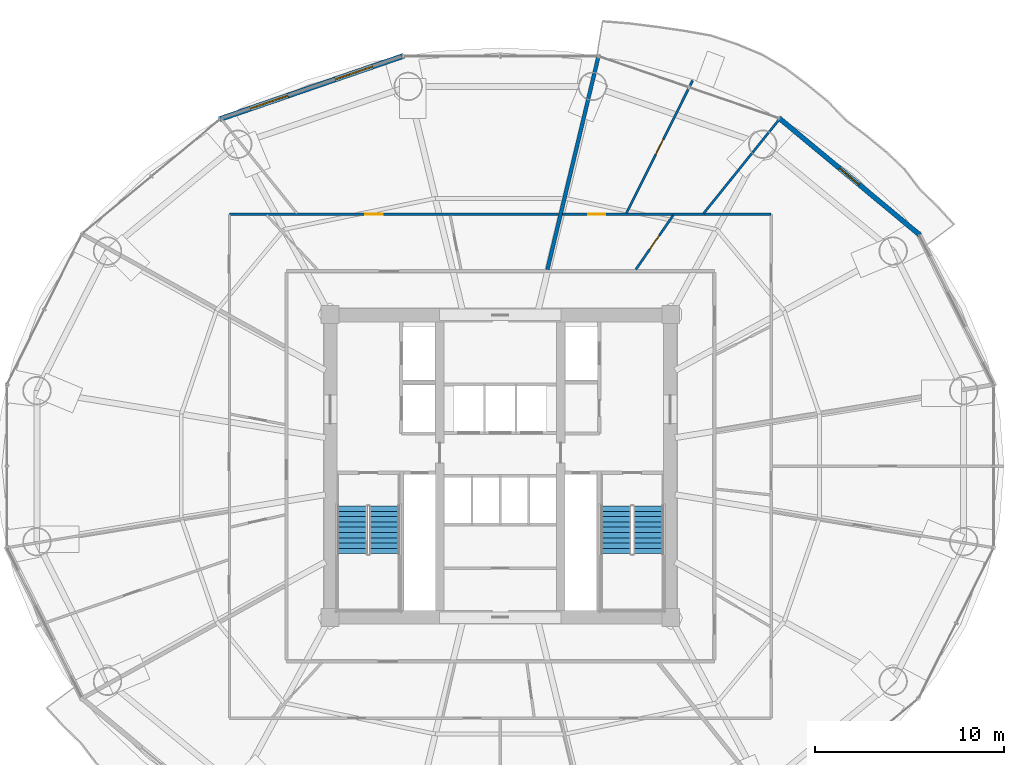
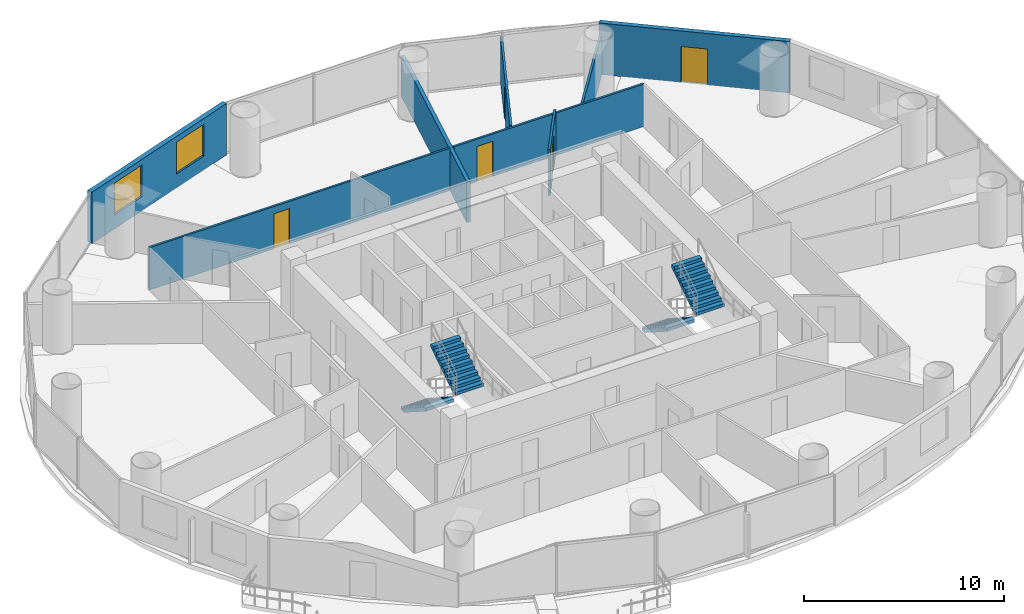
# One storey, part 25 of 29: 8 walls, 5 doors, 4 stair flights, 2 windows, 7 openings, 2 elements without a shape of their own.
"""IFC4 building model written with IfcOpenShell, lengths in metres."""

import ifcopenshell
import ifcopenshell.guid

model = None  # the IFC model being written
_history = None  # IfcOwnerHistory: only IFC2X3 demands one
_inside = {}  # id of a spatial element -> (the spatial element, [elements in it])
_under = {}  # id of a project, library or spatial element -> (it, [spatial elements below it])
_declared = {}  # id of a project -> (the project, [libraries it declares])
_typed = {}  # id of a type object -> (the type object, [elements of that type])
_made_of = {}  # id of a material, layer set ... -> (it, [elements and type objects made of it])


def new_model(schema):
    """Start an empty IFC model of exactly this schema.

    Asked for "IFC4X3", IfcOpenShell would pick the latest addendum, in which some entities
    have other attributes; the version numbers below select the first issue.
    IFC2X3 requires an IfcOwnerHistory on every rooted entity: one is made here for all.
    """
    global model, _history
    if schema == "IFC4X3":
        model = ifcopenshell.file(schema_version=(4, 3, 0, 0))
    else:
        model = ifcopenshell.file(schema=schema)
    _inside.clear()
    _under.clear()
    _declared.clear()
    _typed.clear()
    _made_of.clear()
    _history = None
    if model.schema == "IFC2X3":
        org = make("IfcOrganization", Name="unknown")
        user = make(
            "IfcPersonAndOrganization",
            ThePerson=make("IfcPerson", FamilyName="unknown"),
            TheOrganization=org,
        )
        app = make(
            "IfcApplication",
            ApplicationDeveloper=org,
            Version="unknown",
            ApplicationFullName="unknown",
            ApplicationIdentifier="unknown",
        )
        _history = make(
            "IfcOwnerHistory",
            OwningUser=user,
            OwningApplication=app,
            ChangeAction="ADDED",
            CreationDate=0,
        )
    return model


def make(cls, **values):
    """One entity of the class cls with the attributes given. An attribute that is None is left unset."""
    return model.create_entity(
        cls, **{name: value for name, value in values.items() if value is not None}
    )


def rooted(cls, **values):
    """An entity with a GlobalId (a new one), such as an element, a storey or a relation."""
    return make(cls, GlobalId=ifcopenshell.guid.new(), OwnerHistory=_history, **values)


def si_unit(unit_type, name, prefix=None):
    """IfcSIUnit, for example si_unit("LENGTHUNIT", "METRE", prefix="MILLI")."""
    return make("IfcSIUnit", UnitType=unit_type, Prefix=prefix, Name=name)


def assignment(units):
    """IfcUnitAssignment: the units of a project."""
    return None if units is None else make("IfcUnitAssignment", Units=units)


def point(xyz):
    """IfcCartesianPoint."""
    return None if xyz is None else make("IfcCartesianPoint", Coordinates=xyz)


def direction(xyz):
    """IfcDirection."""
    return None if xyz is None else make("IfcDirection", DirectionRatios=xyz)


def frame(location, z_axis=None, x_axis=None):
    """IfcAxis2Placement3D, a coordinate frame: its origin and axes. An axis left out is left unset."""
    return make(
        "IfcAxis2Placement3D",
        Location=point(location),
        Axis=direction(z_axis),
        RefDirection=direction(x_axis),
    )


def frame_2d(location, x_axis=None):
    """IfcAxis2Placement2D, a coordinate frame in the plane: its origin and x axis."""
    return make(
        "IfcAxis2Placement2D", Location=point(location), RefDirection=direction(x_axis)
    )


def origin():
    """The frame at (0, 0, 0) with its axes left unset."""
    return frame((0.0, 0.0, 0.0))


def place(relative_to, where):
    """IfcLocalPlacement: puts the frame where relative to a parent placement (None: the world)."""
    return make(
        "IfcLocalPlacement", PlacementRelTo=relative_to, RelativePlacement=where
    )


def context(
    kind, dimensions, precision=None, world=None, true_north=None, identifier=None
):
    """IfcGeometricRepresentationContext, for example the 3D "Model" context."""
    return make(
        "IfcGeometricRepresentationContext",
        ContextIdentifier=identifier,
        ContextType=kind,
        CoordinateSpaceDimension=dimensions,
        Precision=precision,
        WorldCoordinateSystem=world,
        TrueNorth=true_north,
    )


def subcontext(parent, identifier, kind, view, scale=None):
    """IfcGeometricRepresentationSubContext, for example "Body" below "Model"."""
    return make(
        "IfcGeometricRepresentationSubContext",
        ContextIdentifier=identifier,
        ContextType=kind,
        ParentContext=parent,
        TargetScale=scale,
        TargetView=view,
    )


def project(units=None, contexts=None):
    """IfcProject with its units and contexts."""
    return rooted(
        "IfcProject",
        Name="project",
        RepresentationContexts=contexts,
        UnitsInContext=assignment(units),
    )


def spatial(cls, under=None, at=None, **own):
    """A site, building, storey or space (cls), placed at a placement, below another one or the project."""
    s = rooted(cls, ObjectPlacement=at, **own)
    if under is not None:
        _under.setdefault(under.id(), (under, []))[1].append(s)
    return s


def polyline(points):
    """IfcPolyline through the points."""
    return make("IfcPolyline", Points=[point(p) for p in points])


def profile(cls, at=None, kind="AREA", **sizes):
    """A parametric profile (cls). Its sizes go by their IFC names, for example OverallWidth=200.0."""
    return make(cls, ProfileType=kind, Position=at, **sizes)


def rectangle(**sizes):
    """IfcRectangleProfileDef."""
    return profile("IfcRectangleProfileDef", **sizes)


def outline(outer, holes=None, kind="AREA"):
    """IfcArbitraryClosedProfileDef: a profile drawn as a closed curve; with holes, ...WithVoids."""
    if holes is None:
        return make("IfcArbitraryClosedProfileDef", ProfileType=kind, OuterCurve=outer)
    return make(
        "IfcArbitraryProfileDefWithVoids",
        ProfileType=kind,
        OuterCurve=outer,
        InnerCurves=holes,
    )


def extrude(swept, where, along, depth):
    """IfcExtrudedAreaSolid: the profile swept, set in the frame where, extruded along a direction by depth."""
    return make(
        "IfcExtrudedAreaSolid",
        SweptArea=swept,
        Position=where,
        ExtrudedDirection=direction(along),
        Depth=depth,
    )


def shape(context_of_items, identifier, shape_type, items):
    """IfcShapeRepresentation: the items that make up one representation, for example the "Body"."""
    return make(
        "IfcShapeRepresentation",
        ContextOfItems=context_of_items,
        RepresentationIdentifier=identifier,
        RepresentationType=shape_type,
        Items=items,
    )


def source(mapping_origin, context_of_items, identifier, shape_type, items):
    """IfcRepresentationMap: a shape defined once, which mapped items show again and again."""
    return make(
        "IfcRepresentationMap",
        MappingOrigin=mapping_origin,
        MappedRepresentation=shape(context_of_items, identifier, shape_type, items),
    )


def transform(
    local_origin,
    x_axis=None,
    y_axis=None,
    z_axis=None,
    scale=None,
    scale2=None,
    scale3=None,
    uniform=True,
):
    """IfcCartesianTransformationOperator3D, or its non-uniform kind. x_axis, y_axis, z_axis: its Axis1, 2, 3."""
    if uniform:
        return make(
            "IfcCartesianTransformationOperator3D",
            Axis1=direction(x_axis),
            Axis2=direction(y_axis),
            LocalOrigin=point(local_origin),
            Scale=scale,
            Axis3=direction(z_axis),
        )
    return make(
        "IfcCartesianTransformationOperator3DnonUniform",
        Axis1=direction(x_axis),
        Axis2=direction(y_axis),
        LocalOrigin=point(local_origin),
        Scale=scale,
        Axis3=direction(z_axis),
        Scale2=scale2,
        Scale3=scale3,
    )


def mapped(mapping_source, mapping_target):
    """IfcMappedItem: shows the shape of a source again, moved by a transform."""
    return make(
        "IfcMappedItem", MappingSource=mapping_source, MappingTarget=mapping_target
    )


def material(Name=None, Category=None):
    """IfcMaterial."""
    return make("IfcMaterial", Name=Name, Category=Category)


def layer(
    of_material, thickness, ventilated=None, Name=None, Category=None, Priority=None
):
    """IfcMaterialLayer: one layer of a wall or slab, of a material (None: an air gap)."""
    return make(
        "IfcMaterialLayer",
        Material=of_material,
        LayerThickness=thickness,
        IsVentilated=ventilated,
        Name=Name,
        Category=Category,
        Priority=Priority,
    )


def layer_set(layers, Name=None):
    """IfcMaterialLayerSet."""
    return make("IfcMaterialLayerSet", MaterialLayers=layers, LayerSetName=Name)


def made_of(thing, what):
    """Note that an element or type object is made of a material, layer set ...; save() writes the relation."""
    if what is not None:
        _made_of.setdefault(what.id(), (what, []))[1].append(thing)
    return thing


def type_object(cls, material=None, **own):
    """A type object (cls), such as IfcWallType, which elements share."""
    return made_of(rooted(cls, **own), material)


def element(
    cls,
    number,
    at=None,
    inside=None,
    cuts=None,
    type_object=None,
    material=None,
    context=None,
    identifier="Body",
    shape_type=None,
    held_by="IfcProductDefinitionShape",
    body=None,
    shapes=None,
    **own,
):
    """One element of the class cls, such as IfcWall. Its Tag is "e" and its number.

    at: its placement. inside: the storey or other place that contains it. cuts: it is an
    opening in that element (IfcRelVoidsElement). A single representation is given by context,
    identifier, shape_type and body (its items); several are given by shapes. held_by: the class
    of the entity that holds the representations. save() writes the other relations.
    """
    e = rooted(cls, Tag="e%d" % number, ObjectPlacement=at, **own)
    if body is not None:
        shapes = [shape(context, identifier, shape_type, body)]
    if shapes is not None:
        e.Representation = make(held_by, Representations=shapes)
    if inside is not None:
        _inside.setdefault(inside.id(), (inside, []))[1].append(e)
    if cuts is not None:
        rooted(
            "IfcRelVoidsElement", RelatingBuildingElement=cuts, RelatedOpeningElement=e
        )
    if type_object is not None:
        _typed.setdefault(type_object.id(), (type_object, []))[1].append(e)
    return made_of(e, material)


def fill(opening, filler):
    """IfcRelFillsElement: the door or window that sits in an opening."""
    return rooted(
        "IfcRelFillsElement",
        RelatingOpeningElement=opening,
        RelatedBuildingElement=filler,
    )


def aggregate(whole, parts):
    """IfcRelAggregates: a whole, such as a stair, and the parts it consists of."""
    return rooted("IfcRelAggregates", RelatingObject=whole, RelatedObjects=parts)


def save(model, path):
    """Write the relations noted so far, then the file.

    IfcRelAggregates (storeys below a building ...), IfcRelContainedInSpatialStructure (elements
    in a storey), IfcRelDefinesByType, IfcRelAssociatesMaterial and IfcRelDeclares: one each for
    every whole, place, type object, material and project.
    """
    for whole, parts in _under.values():
        aggregate(whole, parts)
    for where, things in _inside.values():
        rooted(
            "IfcRelContainedInSpatialStructure",
            RelatedElements=things,
            RelatingStructure=where,
        )
    for kind, things in _typed.values():
        rooted("IfcRelDefinesByType", RelatedObjects=things, RelatingType=kind)
    for what, things in _made_of.values():
        rooted("IfcRelAssociatesMaterial", RelatedObjects=things, RelatingMaterial=what)
    for by, libraries in _declared.values():
        rooted("IfcRelDeclares", RelatingContext=by, RelatedDefinitions=libraries)
    model.write(path)


model = new_model("IFC4")

# Units and contexts
model_context = context("Model", 3, precision=1e-05, world=origin(), true_north=direction((-0.2419218956, 0.970295726276)))
body_context = subcontext(model_context, "Body", "Model", "MODEL_VIEW")
ifc_project = project(units=[si_unit("LENGTHUNIT", "METRE"), si_unit("AREAUNIT", "SQUARE_METRE"), si_unit("VOLUMEUNIT", "CUBIC_METRE"), si_unit("PLANEANGLEUNIT", "RADIAN"), si_unit("MASSUNIT", "GRAM", prefix="KILO")], contexts=[model_context])

# Site, building, storey
site_placement = place(None, origin())
site = spatial("IfcSite", under=ifc_project, at=site_placement, CompositionType="ELEMENT")
building_placement = place(site_placement, origin())
building = spatial("IfcBuilding", under=site, at=building_placement, Name="Cobrevalo Terracotta Tower", CompositionType="ELEMENT")
storey_placement = place(building_placement, frame((0.0, 0.0, 126.60009765625)))
storey = spatial("IfcBuildingStorey", under=building, at=storey_placement, Name="L33", CompositionType="ELEMENT", Elevation=126.60009765625)

# Wall
ifc_material_1 = material(Name="Autoclaved aerated concrete block", Category="concrete")
ifc_layer_1 = layer(ifc_material_1, 0.199951171875)
ifc_layer_set_1 = layer_set([ifc_layer_1], Name="Autoclaved aerated concrete block")
wall_type_1 = type_object("IfcWallType", Name="Fire-rated stair, shaft & demising masonry wall 200 mm", PredefinedType="PARTITIONING", material=ifc_layer_set_1)
wall_1_placement = place(storey_placement, frame((40.486328125, 37.18505859375, 0.0), z_axis=(0.0, 0.0, 1.0), x_axis=(0.232834224261, 0.972516438942, 0.0)))
element("IfcWall", 1, at=wall_1_placement, inside=storey, type_object=wall_type_1, Name="L33 interior partition IW-L33-DEM-2", PredefinedType="PARTITIONING", context=body_context, shape_type="SweptSolid", body=[
    extrude(rectangle(XDim=11.501708984375, YDim=0.199951171875, at=frame_2d((5.7509765625, 0.0))), origin(), (0.0, 0.0, 1.0), 2.5),
])

# Wall, openings, windows
ifc_layer_2 = layer(ifc_material_1, 0.280029296875)
ifc_layer_set_2 = layer_set([ifc_layer_2], Name="Autoclaved aerated concrete block")
wall_type_2 = type_object("IfcWallType", Name="Insulated tower spandrel & pier wall 280 mm with terracotta rainscreen", PredefinedType="SOLIDWALL", material=ifc_layer_set_2)
wall_2_placement = place(storey_placement, frame((32.89208984375, 48.471923828125, 0.0), z_axis=(0.0, 0.0, 1.0), x_axis=(-0.945597432299, -0.325339047809, 0.0)))
wall_2 = element("IfcWall", 2, at=wall_2_placement, inside=storey, type_object=wall_type_2, Name="L33 terracotta rainscreen pier wall S05", PredefinedType="SOLIDWALL", context=body_context, shape_type="SweptSolid", body=[
    extrude(rectangle(XDim=10.2890625, YDim=0.280029296875, at=frame_2d((5.14453125, 0.0))), origin(), (0.0, 0.0, 1.0), 3.14990234375),
])
opening_1_placement = place(wall_2_placement, frame((1.72802734375, 0.0, 0.85009765625)))
opening_1 = element("IfcOpeningElement", 3, at=opening_1_placement, cuts=wall_2, Name="Opening WN-10", PredefinedType="OPENING", context=body_context, shape_type="SweptSolid", body=[
    extrude(rectangle(XDim=2.10009765625, YDim=1.949951171875, at=frame_2d((1.050048828125, 0.97509765625))), frame((0.0, 0.14990234375, 0.0), z_axis=(0.0, -1.0, 0.0), x_axis=(1.0, 0.0, 0.0)), (0.0, 0.0, 1.0), 0.300048828125),
])
opening_2_placement = place(wall_2_placement, frame((6.4609375, 0.0, 0.85009765625)))
opening_2 = element("IfcOpeningElement", 4, at=opening_2_placement, cuts=wall_2, Name="Opening WN-10", PredefinedType="OPENING", context=body_context, shape_type="SweptSolid", body=[
    extrude(rectangle(XDim=2.10009765625, YDim=1.949951171875, at=frame_2d((1.050048828125, 0.97509765625))), frame((0.0, 0.14990234375, 0.0), z_axis=(0.0, -1.0, 0.0), x_axis=(1.0, 0.0, 0.0)), (0.0, 0.0, 1.0), 0.300048828125),
])
ifc_material_2 = material(Name="Solar-control low-E double glazing", Category="glass")
window_type = type_object("IfcWindowType", Name="Wide panoramic low-E aluminium window 2100x1950", PartitioningType="SINGLE_PANEL", PredefinedType="WINDOW", material=ifc_material_2)
shared_shape_1 = source(origin(), body_context, "Body", "SweptSolid", [
    extrude(rectangle(XDim=2.10009765625, YDim=1.949951171875, at=frame_2d((1.050048828125, 0.97509765625))), frame((0.0, 0.030029296875, 0.0), z_axis=(0.0, -1.0, 0.0), x_axis=(1.0, 0.0, 0.0)), (0.0, 0.0, 1.0), 0.06005859375),
])
window_1_placement = place(opening_1_placement, origin())
window_1 = element("IfcWindow", 5, at=window_1_placement, inside=storey, type_object=window_type, Name="L33 suite window S05A", OverallHeight=1.949951171875, OverallWidth=2.10009765625, PartitioningType="SINGLE_PANEL", PredefinedType="WINDOW", context=body_context, shape_type="MappedRepresentation", body=[
    mapped(shared_shape_1, transform((0.0, 0.0, 0.0), scale=1.0)),
])
fill(opening_1, window_1)
window_2_placement = place(opening_2_placement, origin())
window_2 = element("IfcWindow", 6, at=window_2_placement, inside=storey, type_object=window_type, Name="L33 suite window S05B", OverallHeight=1.949951171875, OverallWidth=2.10009765625, PartitioningType="SINGLE_PANEL", PredefinedType="WINDOW", context=body_context, shape_type="MappedRepresentation", body=[
    mapped(shared_shape_1, transform((0.0, 0.0, 0.0), scale=1.0)),
])
fill(opening_2, window_2)

# Wall, opening, door
ifc_layer_3 = layer(ifc_material_1, 0.260009765625)
ifc_layer_set_3 = layer_set([ifc_layer_3], Name="Autoclaved aerated concrete block")
wall_type_3 = type_object("IfcWallType", Name="Recessed balcony loggia insulated exterior wall 260 mm", PredefinedType="SOLIDWALL", material=ifc_layer_set_3)
wall_3_placement = place(storey_placement, frame((60.15380859375, 39.01025390625, 0.0), z_axis=(0.0, 0.0, 1.0), x_axis=(-0.769242574941, 0.638956853706, 0.0)))
wall_3 = element("IfcWall", 7, at=wall_3_placement, inside=storey, type_object=wall_type_3, Name="L33 balcony loggia wall S02", PredefinedType="SOLIDWALL", context=body_context, shape_type="SweptSolid", body=[
    extrude(rectangle(XDim=9.68994140625, YDim=0.260009765625, at=frame_2d((4.844970703125, 0.0))), origin(), (0.0, 0.0, 1.0), 3.14990234375),
])
opening_3_placement = place(wall_3_placement, frame((4.169921875, 0.0, 0.0)))
opening_3 = element("IfcOpeningElement", 8, at=opening_3_placement, cuts=wall_3, Name="Opening ED-05", PredefinedType="OPENING", context=body_context, shape_type="SweptSolid", body=[
    extrude(rectangle(XDim=1.35009765625, YDim=2.199951171875, at=frame_2d((0.675048828125, 1.10009765625))), frame((0.0, 0.14013671875, 0.0), z_axis=(0.0, -1.0, 0.0), x_axis=(1.0, 0.0, 0.0)), (0.0, 0.0, 1.0), 0.280029296875),
])
ifc_material_3 = material(Name="Anodized aluminium and laminated glass", Category="aluminium")
door_type_1 = type_object("IfcDoorType", Name="Suite balcony acoustic glazed terrace door 1350x2200", OperationType="NOTDEFINED", PredefinedType="DOOR", material=ifc_material_3)
shared_shape_2 = source(origin(), body_context, "Body", "SweptSolid", [
    extrude(rectangle(XDim=1.35009765625, YDim=2.199951171875, at=frame_2d((0.675048828125, 1.10009765625))), frame((0.0, 0.02490234375, 0.0), z_axis=(0.0, -1.0, 0.0), x_axis=(1.0, 0.0, 0.0)), (0.0, 0.0, 1.0), 0.050048828125),
])
door_1_placement = place(opening_3_placement, frame((1.35009765625, 0.0, 0.0), z_axis=(0.0, 0.0, 1.0), x_axis=(-1.0, 0.0, 0.0)))
door_1 = element("IfcDoor", 9, at=door_1_placement, inside=storey, type_object=door_type_1, Name="L33 glazed balcony terrace door 1", OperationType="SINGLE_SWING_LEFT", OverallHeight=2.199951171875, OverallWidth=1.35009765625, PredefinedType="DOOR", context=body_context, shape_type="MappedRepresentation", body=[
    mapped(shared_shape_2, transform((0.0, 0.0, 0.0), scale=1.0)),
])
fill(opening_3, door_1)

ifc_material_4 = material(Name="Gypsum board on steel stud", Category="steel")
ifc_layer_4 = layer(ifc_material_4, 0.1201171875)
ifc_layer_set_4 = layer_set([ifc_layer_4], Name="Gypsum board on steel stud")
wall_type_4 = type_object("IfcWallType", Name="Residential internal acoustic stud partition 120 mm", PredefinedType="PARTITIONING", material=ifc_layer_set_4)
wall_4_placement = place(storey_placement, frame((41.287353515625, 40.10498046875, 0.0), z_axis=(0.0, 0.0, 1.0), x_axis=(1.0, 0.0, 0.0)))
wall_4 = element("IfcWall", 10, at=wall_4_placement, inside=storey, type_object=wall_type_4, Name="L33 interior partition IW-L33-U1-RING0_0", PredefinedType="PARTITIONING", context=body_context, shape_type="SweptSolid", body=[
    extrude(rectangle(XDim=11.017578125, YDim=0.1201171875, at=frame_2d((5.5087890625, 0.0))), origin(), (0.0, 0.0, 1.0), 2.595947265625),
])
opening_4_placement = place(wall_4_placement, frame((1.35693359375, 0.0, 0.0)))
opening_4 = element("IfcOpeningElement", 11, at=opening_4_placement, cuts=wall_4, Name="Opening ID-12", PredefinedType="OPENING", context=body_context, shape_type="SweptSolid", body=[
    extrude(rectangle(XDim=0.89990234375, YDim=2.14990234375, at=frame_2d((0.449951171875, 1.074951171875))), frame((0.0, 0.070068359375, 0.0), z_axis=(0.0, -1.0, 0.0), x_axis=(1.0, 0.0, 0.0)), (0.0, 0.0, 1.0), 0.14013671875),
])
ifc_material_5 = material(Name="Engineered timber", Category="wood")
door_type_2 = type_object("IfcDoorType", Name="Internal residence & suite timber door 900x2150", OperationType="NOTDEFINED", PredefinedType="DOOR", material=ifc_material_5)
shared_shape_3 = source(origin(), body_context, "Body", "SweptSolid", [
    extrude(rectangle(XDim=0.89990234375, YDim=2.14990234375, at=frame_2d((0.449951171875, 1.074951171875))), frame((0.0, 0.02490234375, 0.0), z_axis=(0.0, -1.0, 0.0), x_axis=(1.0, 0.0, 0.0)), (0.0, 0.0, 1.0), 0.050048828125),
])
door_2_placement = place(opening_4_placement, origin())
door_2 = element("IfcDoor", 12, at=door_2_placement, inside=storey, type_object=door_type_2, Name="Flat L33A Penthouse Family Lounge internal door", OperationType="SINGLE_SWING_LEFT", OverallHeight=2.14990234375, OverallWidth=0.89990234375, PredefinedType="DOOR", context=body_context, shape_type="MappedRepresentation", body=[
    mapped(shared_shape_3, transform((0.0, 0.0, 0.0), scale=1.0)),
])
fill(opening_4, door_2)

# Wall
wall_5_placement = place(storey_placement, frame((48.7392578125, 40.1533203125, 0.0), z_axis=(0.0, 0.0, 1.0), x_axis=(0.626714875168, 0.779248654309, 0.0)))
element("IfcWall", 13, at=wall_5_placement, inside=storey, type_object=wall_type_4, Name="L33 interior partition IW-L33-U1-ORAD1", PredefinedType="PARTITIONING", context=body_context, shape_type="SweptSolid", body=[
    extrude(rectangle(XDim=6.331787109375, YDim=0.1201171875, at=frame_2d((3.166015625, 0.0))), origin(), (0.0, 0.0, 1.0), 2.5),
])

# Wall, opening, door
wall_6_placement = place(storey_placement, frame((44.660888671875, 40.160400390625, 0.0), z_axis=(0.0, 0.0, 1.0), x_axis=(0.446177198157, 0.894944639542, 0.0)))
wall_6 = element("IfcWall", 14, at=wall_6_placement, inside=storey, type_object=wall_type_4, Name="L33 interior partition IW-L33-U1-ORAD2M1", PredefinedType="PARTITIONING", context=body_context, shape_type="SweptSolid", body=[
    extrude(rectangle(XDim=7.822998046875, YDim=0.1201171875, at=frame_2d((3.91162109375, 0.0))), origin(), (0.0, 0.0, 1.0), 2.666015625),
])
opening_5_placement = place(wall_6_placement, frame((3.46142578125, 0.0, 0.0)))
opening_5 = element("IfcOpeningElement", 15, at=opening_5_placement, cuts=wall_6, Name="Opening ID-12", PredefinedType="OPENING", context=body_context, shape_type="SweptSolid", body=[
    extrude(rectangle(XDim=0.89990234375, YDim=2.14990234375, at=frame_2d((0.449951171875, 1.074951171875))), frame((0.0, 0.070068359375, 0.0), z_axis=(0.0, -1.0, 0.0), x_axis=(1.0, 0.0, 0.0)), (0.0, 0.0, 1.0), 0.14013671875),
])
door_3_placement = place(opening_5_placement, frame((0.89990234375, 0.0, 0.0), z_axis=(0.0, 0.0, 1.0), x_axis=(-1.0, 0.0, 0.0)))
door_3 = element("IfcDoor", 16, at=door_3_placement, inside=storey, type_object=door_type_2, Name="Flat L33A Master Bedroom internal door", OperationType="SINGLE_SWING_RIGHT", OverallHeight=2.14990234375, OverallWidth=0.89990234375, PredefinedType="DOOR", context=body_context, shape_type="MappedRepresentation", body=[
    mapped(shared_shape_3, transform((0.0, 0.0, 0.0), scale=1.0)),
])
fill(opening_5, door_3)

wall_7_placement = place(storey_placement, frame((45.1552734375, 37.18505859375, 0.0), z_axis=(0.0, 0.0, 1.0), x_axis=(0.567393940912, 0.82344648631, 0.0)))
wall_7 = element("IfcWall", 17, at=wall_7_placement, inside=storey, type_object=wall_type_4, Name="L33 interior partition IW-L33-U1-IRAD2", PredefinedType="PARTITIONING", context=body_context, shape_type="SweptSolid", body=[
    extrude(rectangle(XDim=3.484130859375, YDim=0.1201171875, at=frame_2d((1.7421875, 0.0))), origin(), (0.0, 0.0, 1.0), 2.824951171875),
])
opening_6_placement = place(wall_7_placement, frame((1.2919921875, 0.0, 0.0)))
opening_6 = element("IfcOpeningElement", 18, at=opening_6_placement, cuts=wall_7, Name="Opening ID-12", PredefinedType="OPENING", context=body_context, shape_type="SweptSolid", body=[
    extrude(rectangle(XDim=0.89990234375, YDim=2.14990234375, at=frame_2d((0.449951171875, 1.074951171875))), frame((0.0, 0.070068359375, 0.0), z_axis=(0.0, -1.0, 0.0), x_axis=(1.0, 0.0, 0.0)), (0.0, 0.0, 1.0), 0.14013671875),
])
door_4_placement = place(opening_6_placement, origin())
door_4 = element("IfcDoor", 19, at=door_4_placement, inside=storey, type_object=door_type_2, Name="Flat L33A Kitchen internal door", OperationType="SINGLE_SWING_RIGHT", OverallHeight=2.14990234375, OverallWidth=0.89990234375, PredefinedType="DOOR", context=body_context, shape_type="MappedRepresentation", body=[
    mapped(shared_shape_3, transform((0.0, 0.0, 0.0), scale=1.0)),
])
fill(opening_6, door_4)

wall_8_placement = place(storey_placement, frame((23.695068359375, 40.10498046875, 0.0), z_axis=(0.0, 0.0, 1.0), x_axis=(1.0, 0.0, 0.0)))
wall_8 = element("IfcWall", 20, at=wall_8_placement, inside=storey, type_object=wall_type_4, Name="L33 interior partition IW-L33-U2-RING1_0", PredefinedType="PARTITIONING", context=body_context, shape_type="SweptSolid", body=[
    extrude(rectangle(XDim=17.388427734375, YDim=0.1201171875, at=frame_2d((8.6943359375, 0.0))), origin(), (0.0, 0.0, 1.0), 2.595947265625),
])
opening_7_placement = place(wall_8_placement, frame((7.18359375, 0.0, 0.0)))
opening_7 = element("IfcOpeningElement", 21, at=opening_7_placement, cuts=wall_8, Name="Opening ID-12", PredefinedType="OPENING", context=body_context, shape_type="SweptSolid", body=[
    extrude(rectangle(XDim=0.89990234375, YDim=2.14990234375, at=frame_2d((0.449951171875, 1.074951171875))), frame((0.0, 0.070068359375, 0.0), z_axis=(0.0, -1.0, 0.0), x_axis=(1.0, 0.0, 0.0)), (0.0, 0.0, 1.0), 0.14013671875),
])
door_5_placement = place(opening_7_placement, origin())
door_5 = element("IfcDoor", 22, at=door_5_placement, inside=storey, type_object=door_type_2, Name="Flat L33B Penthouse Living and Dining Room internal door", OperationType="SINGLE_SWING_LEFT", OverallHeight=2.14990234375, OverallWidth=0.89990234375, PredefinedType="DOOR", context=body_context, shape_type="MappedRepresentation", body=[
    mapped(shared_shape_3, transform((0.0, 0.0, 0.0), scale=1.0)),
])
fill(opening_7, door_5)

# Stair, stair flights
ifc_material_6 = material(Name="Concrete C50", Category="concrete")
stair_type = type_object("IfcStairType", Name="Core protected escape dogleg stair 1600", PredefinedType="HALF_TURN_STAIR", material=ifc_material_6)
stair_1_placement = place(storey_placement, origin())
stair_1 = element("IfcStair", 23, at=stair_1_placement, inside=storey, type_object=stair_type, Name="L33 Protected exit stair ST-1", PredefinedType="HALF_TURN_STAIR")
stair_flight_type = type_object("IfcStairFlightType", Name="Core protected escape dogleg stair 1600 flight", PredefinedType="STRAIGHT", material=ifc_material_6)
stair_flight_1_placement = place(storey_placement, frame((30.175048828125, 24.699951171875, 0.0), z_axis=(0.0, 0.0, 1.0), x_axis=(0.0, -1.0, 0.0)))
stair_flight_1 = element("IfcStairFlight", 24, at=stair_flight_1_placement, type_object=stair_flight_type, Name="ST-1 flight 1", NumberOfRisers=10, NumberOfTreads=9, PredefinedType="STRAIGHT", RiserHeight=0.18, TreadLength=0.28, context=body_context, shape_type="SweptSolid", body=[
    extrude(outline(polyline([(0.0, 0.0), (0.0, 0.179931640625), (0.280029296875, 0.179931640625), (0.280029296875, 0.360107421875), (0.56005859375, 0.360107421875), (0.56005859375, 0.5400390625), (0.840087890625, 0.5400390625), (0.840087890625, 0.719970703125), (1.1201171875, 0.719970703125), (1.1201171875, 0.89990234375), (1.39990234375, 0.89990234375), (1.39990234375, 1.080078125), (1.679931640625, 1.080078125), (1.679931640625, 1.260009765625), (1.9599609375, 1.260009765625), (1.9599609375, 1.43994140625), (2.239990234375, 1.43994140625), (2.239990234375, 1.6201171875), (2.52001953125, 1.6201171875), (2.52001953125, 1.800048828125), (2.52001953125, 1.429931640625), (0.295654296875, 0.0), (0.0, 0.0)])), frame((0.0, 0.800048828125, 0.0), z_axis=(0.0, -1.0, 0.0), x_axis=(1.0, 0.0, 0.0)), (0.0, 0.0, 1.0), 1.60009765625),
])
stair_flight_2_placement = place(storey_placement, frame((31.89501953125, 22.179931640625, 1.7998046875), z_axis=(0.0, 0.0, 1.0), x_axis=(0.0, 1.0, 0.0)))
stair_flight_2 = element("IfcStairFlight", 25, at=stair_flight_2_placement, type_object=stair_flight_type, Name="ST-1 flight 2", NumberOfRisers=10, NumberOfTreads=9, PredefinedType="STRAIGHT", RiserHeight=0.18, TreadLength=0.28, context=body_context, shape_type="SweptSolid", body=[
    extrude(outline(polyline([(0.0, 0.0), (0.0, 0.179931640625), (0.280029296875, 0.179931640625), (0.280029296875, 0.360107421875), (0.56005859375, 0.360107421875), (0.56005859375, 0.5400390625), (0.840087890625, 0.5400390625), (0.840087890625, 0.719970703125), (1.1201171875, 0.719970703125), (1.1201171875, 0.89990234375), (1.39990234375, 0.89990234375), (1.39990234375, 1.080078125), (1.679931640625, 1.080078125), (1.679931640625, 1.260009765625), (1.9599609375, 1.260009765625), (1.9599609375, 1.43994140625), (2.239990234375, 1.43994140625), (2.239990234375, 1.6201171875), (2.52001953125, 1.6201171875), (2.52001953125, 1.800048828125), (2.52001953125, 1.429931640625), (0.295654296875, 0.0), (0.0, 0.0)])), frame((0.0, 0.800048828125, 0.0), z_axis=(0.0, -1.0, 0.0), x_axis=(1.0, 0.0, 0.0)), (0.0, 0.0, 1.0), 1.60009765625),
])
aggregate(stair_1, [stair_flight_1, stair_flight_2])

stair_2_placement = place(storey_placement, origin())
stair_2 = element("IfcStair", 26, at=stair_2_placement, inside=storey, type_object=stair_type, Name="L33 Protected exit stair ST-2", PredefinedType="HALF_TURN_STAIR")
stair_flight_3_placement = place(storey_placement, frame((44.10498046875, 24.699951171875, 0.0), z_axis=(0.0, 0.0, 1.0), x_axis=(0.0, -1.0, 0.0)))
stair_flight_3 = element("IfcStairFlight", 27, at=stair_flight_3_placement, type_object=stair_flight_type, Name="ST-2 flight 1", NumberOfRisers=10, NumberOfTreads=9, PredefinedType="STRAIGHT", RiserHeight=0.18, TreadLength=0.28, context=body_context, shape_type="SweptSolid", body=[
    extrude(outline(polyline([(0.0, 0.0), (0.0, 0.179931640625), (0.280029296875, 0.179931640625), (0.280029296875, 0.360107421875), (0.56005859375, 0.360107421875), (0.56005859375, 0.5400390625), (0.840087890625, 0.5400390625), (0.840087890625, 0.719970703125), (1.1201171875, 0.719970703125), (1.1201171875, 0.89990234375), (1.39990234375, 0.89990234375), (1.39990234375, 1.080078125), (1.679931640625, 1.080078125), (1.679931640625, 1.260009765625), (1.9599609375, 1.260009765625), (1.9599609375, 1.43994140625), (2.239990234375, 1.43994140625), (2.239990234375, 1.6201171875), (2.52001953125, 1.6201171875), (2.52001953125, 1.800048828125), (2.52001953125, 1.429931640625), (0.295654296875, 0.0), (0.0, 0.0)])), frame((0.0, 0.800048828125, 0.0), z_axis=(0.0, -1.0, 0.0), x_axis=(1.0, 0.0, 0.0)), (0.0, 0.0, 1.0), 1.60009765625),
])
stair_flight_4_placement = place(storey_placement, frame((45.824951171875, 22.179931640625, 1.7998046875), z_axis=(0.0, 0.0, 1.0), x_axis=(0.0, 1.0, 0.0)))
stair_flight_4 = element("IfcStairFlight", 28, at=stair_flight_4_placement, type_object=stair_flight_type, Name="ST-2 flight 2", NumberOfRisers=10, NumberOfTreads=9, PredefinedType="STRAIGHT", RiserHeight=0.18, TreadLength=0.28, context=body_context, shape_type="SweptSolid", body=[
    extrude(outline(polyline([(0.0, 0.0), (0.0, 0.179931640625), (0.280029296875, 0.179931640625), (0.280029296875, 0.360107421875), (0.56005859375, 0.360107421875), (0.56005859375, 0.5400390625), (0.840087890625, 0.5400390625), (0.840087890625, 0.719970703125), (1.1201171875, 0.719970703125), (1.1201171875, 0.89990234375), (1.39990234375, 0.89990234375), (1.39990234375, 1.080078125), (1.679931640625, 1.080078125), (1.679931640625, 1.260009765625), (1.9599609375, 1.260009765625), (1.9599609375, 1.43994140625), (2.239990234375, 1.43994140625), (2.239990234375, 1.6201171875), (2.52001953125, 1.6201171875), (2.52001953125, 1.800048828125), (2.52001953125, 1.429931640625), (0.295654296875, 0.0), (0.0, 0.0)])), frame((0.0, 0.800048828125, 0.0), z_axis=(0.0, -1.0, 0.0), x_axis=(1.0, 0.0, 0.0)), (0.0, 0.0, 1.0), 1.60009765625),
])
aggregate(stair_2, [stair_flight_3, stair_flight_4])

save(model, "model.ifc")
